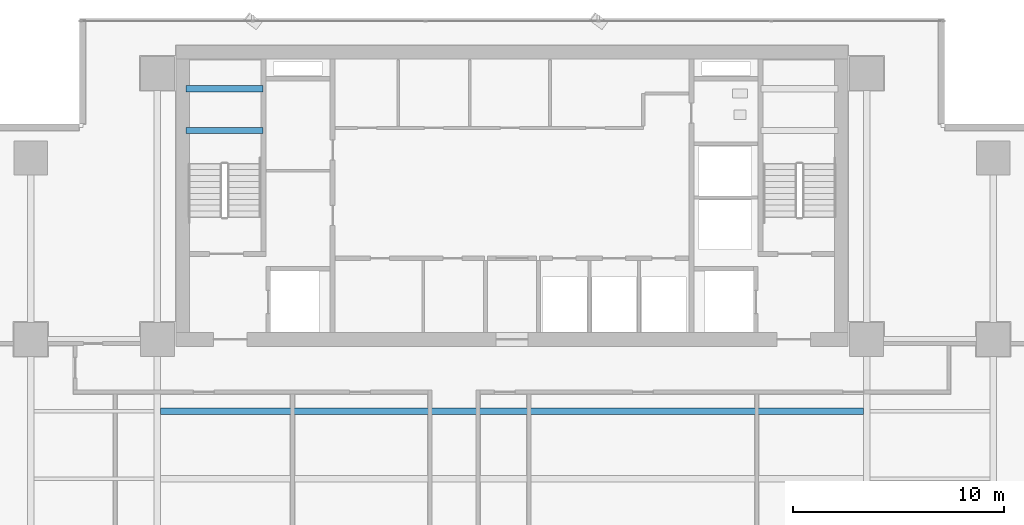
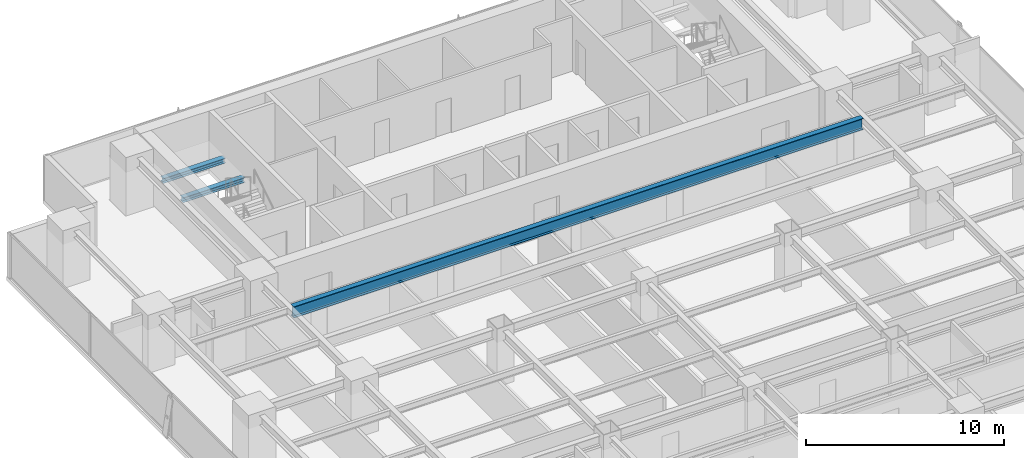
# One storey, part 19 of 37: 3 beams.
"""IFC4 building model written with IfcOpenShell, lengths in metres."""

from ifc_helpers import new_model, si_unit, direction, frame, origin, origin_2d, place, context, subcontext, project, spatial, i_section, extrude, source, transform, mapped, material, material_profile, profile_set, type_object, element, save


model = new_model("IFC4")

# Units and contexts
model_context = context("Model", 3, precision=1e-05, world=origin(), true_north=direction((0.0, 1.0)))
body_context = subcontext(model_context, "Body", "Model", "MODEL_VIEW")
ifc_project = project(units=[si_unit("LENGTHUNIT", "METRE"), si_unit("AREAUNIT", "SQUARE_METRE"), si_unit("VOLUMEUNIT", "CUBIC_METRE"), si_unit("PLANEANGLEUNIT", "RADIAN"), si_unit("MASSUNIT", "GRAM", prefix="KILO")], contexts=[model_context])

# Site, building, storey
site_placement = place(None, origin())
site = spatial("IfcSite", under=ifc_project, at=site_placement, CompositionType="ELEMENT")
building_placement = place(site_placement, origin())
building = spatial("IfcBuilding", under=site, at=building_placement, Name="Sumidabori Civic Tower", CompositionType="ELEMENT")
storey_placement = place(building_placement, frame((0.0, 0.0, 117.199951171875)))
storey = spatial("IfcBuildingStorey", under=building, at=storey_placement, Name="L30", CompositionType="ELEMENT", Elevation=117.199951171875)

# Beams
ifc_material = material(Name="Steel SN490", Category="steel")
ifc_material_profile_1 = material_profile(ifc_material, i_section(OverallWidth=0.300048828125, OverallDepth=0.300048828125, WebThickness=0.010986328125, FlangeThickness=0.01904296875, at=origin_2d()), Name="HE 300 B")
ifc_profile_set_1 = profile_set([ifc_material_profile_1], Name="Steel SN490")
beam_type_1 = type_object("IfcBeamType", Name="BM-LDG-300", PredefinedType="BEAM", material=ifc_profile_set_1)
shared_shape_1 = source(origin(), body_context, "Body", "SweptSolid", [
    extrude(i_section(OverallWidth=0.300048828125, OverallDepth=0.300048828125, WebThickness=0.010986328125, FlangeThickness=0.01904296875, at=origin_2d()), origin(), (0.0, 0.0, 1.0), 3.64990234375),
])
for number, where, z_axis, x_axis, name in (
    (1, (-15.449951171875, 20.09765625, 1.449951171875), (1.0, 0.0, 0.0), (0.0, 1.0, 0.0), "Stair ST-1 Landing Support Beam L30-1A"),
    (2, (-15.449951171875, 22.069580078125, 1.449951171875), (1.0, 0.0, 0.0), (0.0, 1.0, 0.0), "Stair ST-1 Landing Trimmer Beam L30-1B"),
):
    element("IfcBeam", number, at=place(storey_placement, frame(where, z_axis=z_axis, x_axis=x_axis)), inside=storey, type_object=beam_type_1, Name=name, PredefinedType="BEAM", context=body_context, shape_type="MappedRepresentation", body=[
        mapped(shared_shape_1, transform((0.0, 0.0, 0.0), x_axis=(1.0, 0.0, 0.0), y_axis=(0.0, 1.0, 0.0), z_axis=(0.0, 0.0, 1.0), scale=1.0)),
    ])
ifc_material_profile_2 = material_profile(ifc_material, i_section(OverallWidth=0.300048828125, OverallDepth=0.699951171875, WebThickness=0.01708984375, FlangeThickness=0.031982421875, at=origin_2d()), Name="HE 700 B")
ifc_profile_set_2 = profile_set([ifc_material_profile_2], Name="Steel SN490")
beam_type_2 = type_object("IfcBeamType", Name="BM-GIRD-700", PredefinedType="BEAM", material=ifc_profile_set_2)
shared_shape_2 = source(origin(), body_context, "Body", "SweptSolid", [
    extrude(i_section(OverallWidth=0.300048828125, OverallDepth=0.699951171875, WebThickness=0.01708984375, FlangeThickness=0.031982421875, at=origin_2d()), origin(), (0.0, 0.0, 1.0), 33.2998046875),
])
beam_placement = place(storey_placement, frame((-16.64990234375, 6.800048828125, 3.010009765625), z_axis=(1.0, 0.0, 0.0), x_axis=(0.0, 1.0, 0.0)))
element("IfcBeam", 3, at=beam_placement, inside=storey, type_object=beam_type_2, Name="North Bay Floor Beam L30 JSTN-54", PredefinedType="BEAM", context=body_context, shape_type="MappedRepresentation", body=[
    mapped(shared_shape_2, transform((0.0, 0.0, 0.0), x_axis=(1.0, 0.0, 0.0), y_axis=(0.0, 1.0, 0.0), z_axis=(0.0, 0.0, 1.0), scale=1.0)),
])

save(model, "model.ifc")
